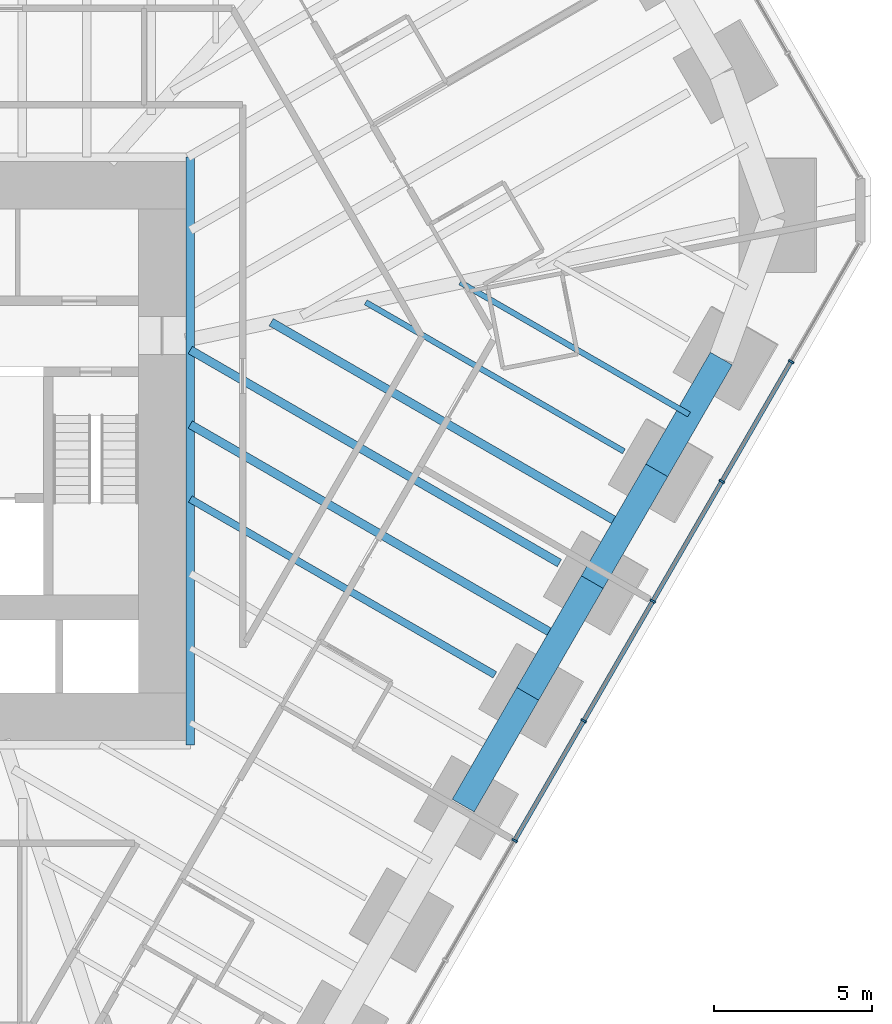
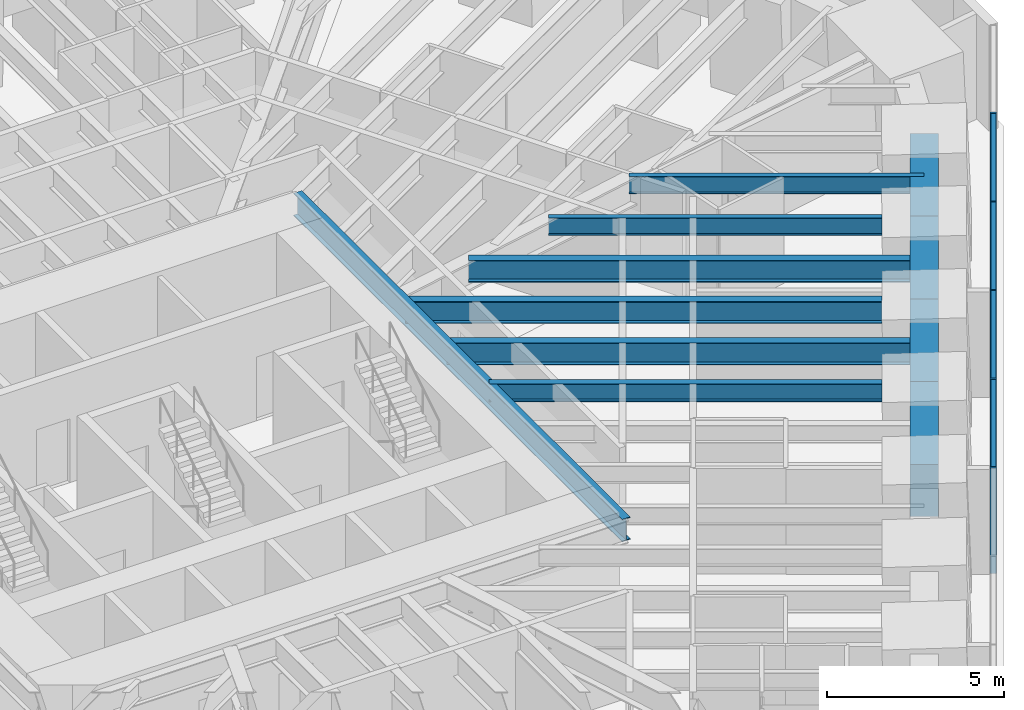
# One storey, part 6 of 17: 11 beams, 9 members, 1 element without a shape of its own.
"""IFC4 building model written with IfcOpenShell, lengths in metres."""

from ifc_helpers import new_model, si_unit, direction, frame, origin, origin_2d, place, context, subcontext, project, spatial, rectangle, i_section, extrude, material, material_profile, profile_set, type_object, element, aggregate, save


model = new_model("IFC4")

# Units and contexts
model_context = context("Model", 3, precision=1e-05, world=origin(), true_north=direction((0.0, 1.0)))
body_context = subcontext(model_context, "Body", "Model", "MODEL_VIEW")
ifc_project = project(units=[si_unit("LENGTHUNIT", "METRE"), si_unit("AREAUNIT", "SQUARE_METRE"), si_unit("VOLUMEUNIT", "CUBIC_METRE"), si_unit("PLANEANGLEUNIT", "RADIAN"), si_unit("MASSUNIT", "GRAM", prefix="KILO")], contexts=[model_context])

# Site, building, storey
site_placement = place(None, origin())
site = spatial("IfcSite", under=ifc_project, at=site_placement, CompositionType="ELEMENT")
building_placement = place(site_placement, origin())
building = spatial("IfcBuilding", under=site, at=building_placement, Name="Sandreach Pilgrim Tower", CompositionType="ELEMENT")
storey_placement = place(building_placement, frame((0.0, 0.0, 72.39990234375)))
storey = spatial("IfcBuildingStorey", under=building, at=storey_placement, Name="L17", CompositionType="ELEMENT", Elevation=72.39990234375)

# Curtain wall, members
ifc_material_1 = material(Name="Aluminium framed curtain wall", Category="aluminium")
curtain_wall_type = type_object("IfcCurtainWallType", Name="Hostel tower curtain wall", PredefinedType="NOTDEFINED", material=ifc_material_1)
curtain_wall_placement = place(storey_placement, origin())
curtain_wall = element("IfcCurtainWall", 1, at=curtain_wall_placement, inside=storey, type_object=curtain_wall_type, Name="CW-1 L17 SE", PredefinedType="NOTDEFINED")
ifc_material_2 = material(Name="Aluminium extrusion", Category="aluminium")
ifc_material_profile_1 = material_profile(ifc_material_2, rectangle(XDim=0.06494140625, YDim=0.179931640625, at=origin_2d()), Name="CW-1M 65X180")
ifc_profile_set_1 = profile_set([ifc_material_profile_1], Name="Aluminium extrusion")
member_type_1 = type_object("IfcMemberType", Name="CW-1 mullion", PredefinedType="MULLION", material=ifc_profile_set_1)
member_1_placement = place(storey_placement, frame((28.390380859375, 1.2763671875, 0.0), z_axis=(0.0, 0.0, 1.0), x_axis=(-0.5, -0.866025403784, 0.0)))
member_1 = element("IfcMember", 2, at=member_1_placement, type_object=member_type_1, Name="CW-1 mullion 2", PredefinedType="MULLION", context=body_context, shape_type="SweptSolid", body=[
    extrude(rectangle(XDim=0.06494140625, YDim=0.179931640625, at=origin_2d()), origin(), (0.0, 0.0, 1.0), 3.64013671875),
])
member_2_placement = place(storey_placement, frame((26.20458984375, -2.509521484375, 0.0), z_axis=(0.0, 0.0, 1.0), x_axis=(-0.5, -0.866025403784, 0.0)))
member_2 = element("IfcMember", 3, at=member_2_placement, type_object=member_type_1, Name="CW-1 mullion 3", PredefinedType="MULLION", context=body_context, shape_type="SweptSolid", body=[
    extrude(rectangle(XDim=0.06494140625, YDim=0.179931640625, at=origin_2d()), origin(), (0.0, 0.0, 1.0), 3.64013671875),
])
member_3_placement = place(storey_placement, frame((24.018798828125, -6.29541015625, 0.0), z_axis=(0.0, 0.0, 1.0), x_axis=(-0.5, -0.866025403784, 0.0)))
member_3 = element("IfcMember", 4, at=member_3_placement, type_object=member_type_1, Name="CW-1 mullion 4", PredefinedType="MULLION", context=body_context, shape_type="SweptSolid", body=[
    extrude(rectangle(XDim=0.06494140625, YDim=0.179931640625, at=origin_2d()), origin(), (0.0, 0.0, 1.0), 3.64013671875),
])
member_4_placement = place(storey_placement, frame((21.8330078125, -10.081298828125, 0.0), z_axis=(0.0, 0.0, 1.0), x_axis=(-0.5, -0.866025403784, 0.0)))
member_4 = element("IfcMember", 5, at=member_4_placement, type_object=member_type_1, Name="CW-1 mullion 5", PredefinedType="MULLION", context=body_context, shape_type="SweptSolid", body=[
    extrude(rectangle(XDim=0.06494140625, YDim=0.179931640625, at=origin_2d()), origin(), (0.0, 0.0, 1.0), 3.64013671875),
])
member_5_placement = place(storey_placement, frame((19.647216796875, -13.8671875, 0.0), z_axis=(0.0, 0.0, 1.0), x_axis=(-0.5, -0.866025403784, 0.0)))
member_5 = element("IfcMember", 6, at=member_5_placement, type_object=member_type_1, Name="CW-1 mullion 6", PredefinedType="MULLION", context=body_context, shape_type="SweptSolid", body=[
    extrude(rectangle(XDim=0.06494140625, YDim=0.179931640625, at=origin_2d()), origin(), (0.0, 0.0, 1.0), 3.64013671875),
])
ifc_material_3 = material(Name="Aluminium extrusion", Category="aluminium")
ifc_material_profile_2 = material_profile(ifc_material_3, rectangle(XDim=0.139892578125, YDim=0.070068359375, at=origin_2d()), Name="CW-1T 140X70")
ifc_profile_set_2 = profile_set([ifc_material_profile_2], Name="Aluminium extrusion")
member_type_2 = type_object("IfcMemberType", Name="CW-1 transom", PredefinedType="USERDEFINED", material=ifc_profile_set_2)
member_6_placement = place(storey_placement, frame((28.374267578125, 1.248046875, 3.60498046875), z_axis=(-0.500016891966, -0.866015650984, 0.0), x_axis=(0.866015650984, -0.500016891966, 0.0)))
member_6 = element("IfcMember", 7, at=member_6_placement, type_object=member_type_2, Name="CW-1 head transom 2", ObjectType="TRANSOM", PredefinedType="USERDEFINED", context=body_context, shape_type="SweptSolid", body=[
    extrude(rectangle(XDim=0.139892578125, YDim=0.070068359375, at=origin_2d()), origin(), (0.0, 0.0, 1.0), 4.306396484375),
])
member_7_placement = place(storey_placement, frame((26.1884765625, -2.537841796875, 3.60498046875), z_axis=(-0.500016891966, -0.866015650984, 0.0), x_axis=(0.866015650984, -0.500016891966, 0.0)))
member_7 = element("IfcMember", 8, at=member_7_placement, type_object=member_type_2, Name="CW-1 head transom 3", ObjectType="TRANSOM", PredefinedType="USERDEFINED", context=body_context, shape_type="SweptSolid", body=[
    extrude(rectangle(XDim=0.139892578125, YDim=0.070068359375, at=origin_2d()), origin(), (0.0, 0.0, 1.0), 4.306396484375),
])
member_8_placement = place(storey_placement, frame((24.002685546875, -6.32373046875, 3.60498046875), z_axis=(-0.500016891966, -0.866015650984, 0.0), x_axis=(0.866015650984, -0.500016891966, 0.0)))
member_8 = element("IfcMember", 9, at=member_8_placement, type_object=member_type_2, Name="CW-1 head transom 4", ObjectType="TRANSOM", PredefinedType="USERDEFINED", context=body_context, shape_type="SweptSolid", body=[
    extrude(rectangle(XDim=0.139892578125, YDim=0.070068359375, at=origin_2d()), origin(), (0.0, 0.0, 1.0), 4.306396484375),
])
member_9_placement = place(storey_placement, frame((21.81689453125, -10.109619140625, 3.60498046875), z_axis=(-0.500016891966, -0.866015650984, 0.0), x_axis=(0.866015650984, -0.500016891966, 0.0)))
member_9 = element("IfcMember", 10, at=member_9_placement, type_object=member_type_2, Name="CW-1 head transom 5", ObjectType="TRANSOM", PredefinedType="USERDEFINED", context=body_context, shape_type="SweptSolid", body=[
    extrude(rectangle(XDim=0.139892578125, YDim=0.070068359375, at=origin_2d()), origin(), (0.0, 0.0, 1.0), 4.306396484375),
])
aggregate(curtain_wall, [member_1, member_2, member_3, member_4, member_5, member_6, member_7, member_8, member_9])

# Beams
ifc_material_4 = material(Name="Steel ASTM A992 Grade 50", Category="steel")
ifc_material_profile_3 = material_profile(ifc_material_4, i_section(OverallWidth=0.2666015625, OverallDepth=0.77978515625, WebThickness=0.0166015625, FlangeThickness=0.030029296875, at=origin_2d()), Name="W30X148")
ifc_profile_set_3 = profile_set([ifc_material_profile_3], Name="Steel ASTM A992 Grade 50")
beam_type_1 = type_object("IfcBeamType", Name="Core edge beam W30X148", PredefinedType="BEAM", material=ifc_profile_set_3)
beam_1_placement = place(storey_placement, frame((9.393310546875, 7.743408203125, 3.250244140625), z_axis=(0.0, -1.0, 0.0), x_axis=(1.0, 0.0, 0.0)))
element("IfcBeam", 11, at=beam_1_placement, inside=storey, type_object=beam_type_1, Name="BM L17 CEE", PredefinedType="BEAM", context=body_context, shape_type="SweptSolid", body=[
    extrude(i_section(OverallWidth=0.2666015625, OverallDepth=0.77978515625, WebThickness=0.0166015625, FlangeThickness=0.030029296875, at=origin_2d()), origin(), (0.0, 0.0, 1.0), 18.586669921875),
])
ifc_material_5 = material(Name="Steel ASTM A992 Grade 50", Category="steel")
ifc_material_profile_4 = material_profile(ifc_material_5, i_section(OverallWidth=0.1787109375, OverallDepth=0.60205078125, WebThickness=0.010986328125, FlangeThickness=0.014892578125, at=origin_2d()), Name="W24X62")
ifc_profile_set_4 = profile_set([ifc_material_profile_4], Name="Steel ASTM A992 Grade 50")
beam_type_2 = type_object("IfcBeamType", Name="Floor beam W24X62", PredefinedType="BEAM", material=ifc_profile_set_4)
beam_2_placement = place(storey_placement, frame((23.105712890625, -1.56103515625, 3.339111328125), z_axis=(-0.866024774371, 0.500001090174, 0.0), x_axis=(-0.500001090174, -0.866024774371, 0.0)))
element("IfcBeam", 12, at=beam_2_placement, inside=storey, type_object=beam_type_2, Name="BM L17 F15", PredefinedType="BEAM", context=body_context, shape_type="SweptSolid", body=[
    extrude(i_section(OverallWidth=0.1787109375, OverallDepth=0.60205078125, WebThickness=0.010986328125, FlangeThickness=0.014892578125, at=origin_2d()), origin(), (0.0, 0.0, 1.0), 9.43017578125),
])
beam_3_placement = place(storey_placement, frame((25.1650390625, -0.39404296875, 3.339111328125), z_axis=(-0.866028955209, 0.499993848702, 0.0), x_axis=(-0.499993848702, -0.866028955209, 0.0)))
element("IfcBeam", 13, at=beam_3_placement, inside=storey, type_object=beam_type_2, Name="BM L17 FM14", PredefinedType="BEAM", context=body_context, shape_type="SweptSolid", body=[
    extrude(i_section(OverallWidth=0.1787109375, OverallDepth=0.60205078125, WebThickness=0.010986328125, FlangeThickness=0.014892578125, at=origin_2d()), origin(), (0.0, 0.0, 1.0), 8.35791015625),
])
ifc_material_6 = material(Name="Steel ASTM A992 Grade 50", Category="steel")
ifc_material_profile_5 = material_profile(ifc_material_6, i_section(OverallWidth=0.23046875, OverallDepth=0.6171875, WebThickness=0.01318359375, FlangeThickness=0.022216796875, at=origin_2d()), Name="W24X94")
ifc_profile_set_5 = profile_set([ifc_material_profile_5], Name="Steel ASTM A992 Grade 50")
beam_type_3 = type_object("IfcBeamType", Name="Floor beam W24X94", PredefinedType="BEAM", material=ifc_profile_set_5)
beam_4_placement = place(storey_placement, frame((19.025390625, -8.62841796875, 3.33154296875), z_axis=(-0.866027306398, 0.499996704563, 0.0), x_axis=(-0.499996704563, -0.866027306398, 0.0)))
element("IfcBeam", 14, at=beam_4_placement, inside=storey, type_object=beam_type_3, Name="BM L17 F17", PredefinedType="BEAM", context=body_context, shape_type="SweptSolid", body=[
    extrude(i_section(OverallWidth=0.23046875, OverallDepth=0.6171875, WebThickness=0.01318359375, FlangeThickness=0.022216796875, at=origin_2d()), origin(), (0.0, 0.0, 1.0), 11.1220703125),
])
ifc_material_7 = material(Name="Steel ASTM A992 Grade 50", Category="steel")
ifc_material_profile_6 = material_profile(ifc_material_7, i_section(OverallWidth=0.2666015625, OverallDepth=0.761962890625, WebThickness=0.014404296875, FlangeThickness=0.021484375, at=origin_2d()), Name="W30X116")
ifc_profile_set_6 = profile_set([ifc_material_profile_6], Name="Steel ASTM A992 Grade 50")
beam_type_4 = type_object("IfcBeamType", Name="Floor beam W30X116", PredefinedType="BEAM", material=ifc_profile_set_6)
beam_5_placement = place(storey_placement, frame((21.0654296875, -5.0947265625, 3.259033203125), z_axis=(-0.86602178798, 0.500006262704, 0.0), x_axis=(-0.500006262704, -0.86602178798, 0.0)))
element("IfcBeam", 15, at=beam_5_placement, inside=storey, type_object=beam_type_4, Name="BM L17 F16", PredefinedType="BEAM", context=body_context, shape_type="SweptSolid", body=[
    extrude(i_section(OverallWidth=0.2666015625, OverallDepth=0.761962890625, WebThickness=0.014404296875, FlangeThickness=0.021484375, at=origin_2d()), origin(), (0.0, 0.0, 1.0), 13.477783203125),
])
beam_6_placement = place(storey_placement, frame((23.124755859375, -3.927978515625, 3.259033203125), z_axis=(-0.866022042486, 0.500005821895, 0.0), x_axis=(-0.500005821895, -0.866022042486, 0.0)))
element("IfcBeam", 16, at=beam_6_placement, inside=storey, type_object=beam_type_4, Name="BM L17 FM15", PredefinedType="BEAM", context=body_context, shape_type="SweptSolid", body=[
    extrude(i_section(OverallWidth=0.2666015625, OverallDepth=0.761962890625, WebThickness=0.014404296875, FlangeThickness=0.021484375, at=origin_2d()), origin(), (0.0, 0.0, 1.0), 12.902099609375),
])
beam_7_placement = place(storey_placement, frame((21.084716796875, -7.461669921875, 3.259033203125), z_axis=(-0.866026575979, 0.499997969693, 0.0), x_axis=(-0.499997969693, -0.866026575979, 0.0)))
element("IfcBeam", 17, at=beam_7_placement, inside=storey, type_object=beam_type_4, Name="BM L17 FM16", PredefinedType="BEAM", context=body_context, shape_type="SweptSolid", body=[
    extrude(i_section(OverallWidth=0.2666015625, OverallDepth=0.761962890625, WebThickness=0.014404296875, FlangeThickness=0.021484375, at=origin_2d()), origin(), (0.0, 0.0, 1.0), 13.5),
])
ifc_material_8 = material(Name="Concrete 10000 psi", Category="concrete")
ifc_material_profile_7 = material_profile(ifc_material_8, rectangle(XDim=0.800048828125, YDim=1.800048828125, at=origin_2d()), Name="RC800X1800")
ifc_profile_set_7 = profile_set([ifc_material_profile_7], Name="Concrete 10000 psi")
beam_type_5 = type_object("IfcBeamType", Name="Spandrel beam RC800X1800", PredefinedType="SPANDREL", material=ifc_profile_set_7)
beam_8_placement = place(storey_placement, frame((26.18505859375, 1.372802734375, 2.739990234375), z_axis=(-0.499948612594, -0.866055070284, 0.0), x_axis=(0.866055070284, -0.499948612594, 0.0)))
element("IfcBeam", 18, at=beam_8_placement, inside=storey, type_object=beam_type_5, Name="BM L17 SP14", PredefinedType="SPANDREL", context=body_context, shape_type="SweptSolid", body=[
    extrude(rectangle(XDim=0.800048828125, YDim=1.800048828125, at=origin_2d()), origin(), (0.0, 0.0, 1.0), 4.08056640625),
])
for number, where, z_axis, x_axis, name in (
    (19, (24.14501953125, -2.1611328125, 2.739990234375), (-0.500019394716, -0.86601420595, 0.0), (0.86601420595, -0.500019394716, 0.0), "BM L17 SP15"),
    (20, (22.104736328125, -5.69482421875, 2.739990234375), (-0.500019394716, -0.86601420595, 0.0), (0.86601420595, -0.500019394716, 0.0), "BM L17 SP16"),
    (21, (20.064453125, -9.228515625, 2.739990234375), (-0.499974519561, -0.866040114423, 0.0), (0.866040114423, -0.499974519561, 0.0), "BM L17 SP17"),
):
    element("IfcBeam", number, at=place(storey_placement, frame(where, z_axis=z_axis, x_axis=x_axis)), inside=storey, type_object=beam_type_5, Name=name, PredefinedType="SPANDREL", context=body_context, shape_type="SweptSolid", body=[
        extrude(rectangle(XDim=0.800048828125, YDim=1.800048828125, at=origin_2d()), origin(), (0.0, 0.0, 1.0), 4.080322265625),
    ])

save(model, "model.ifc")
